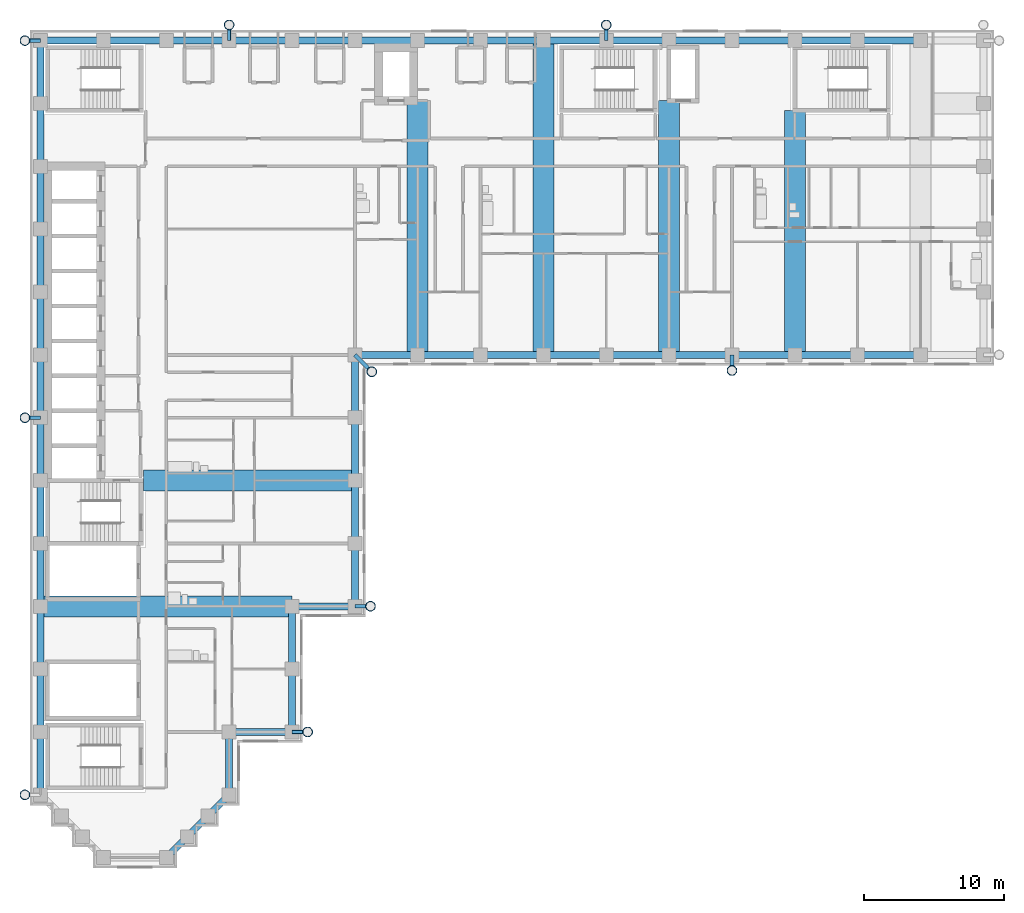
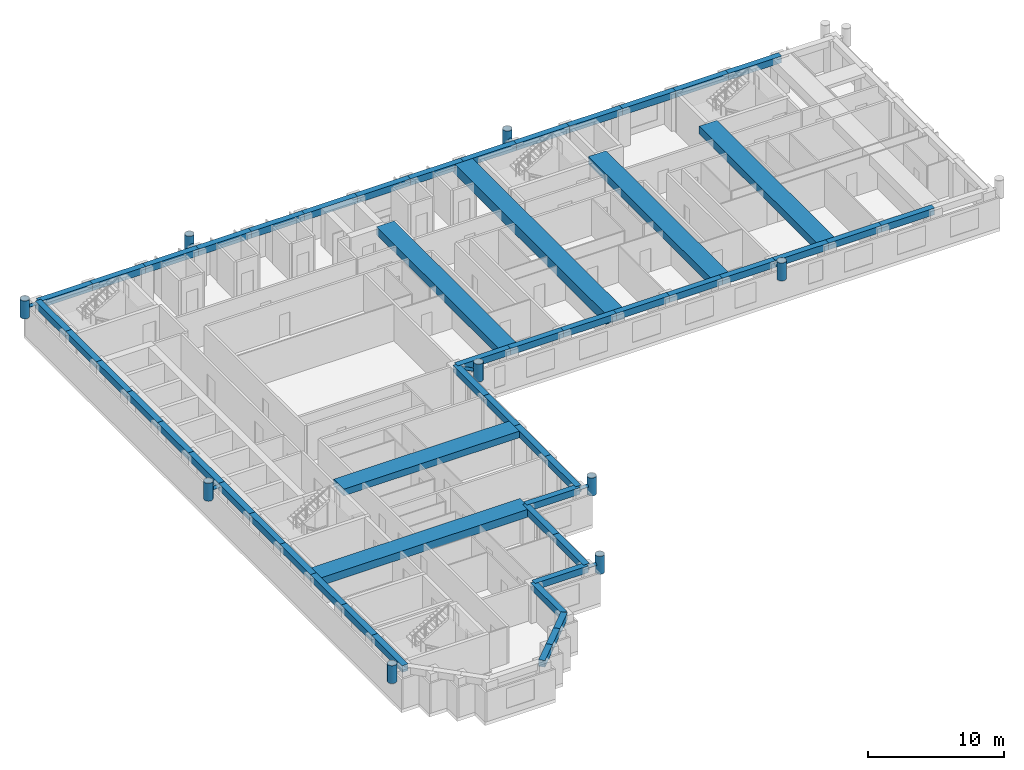
# One storey, part 2 of 15: 53 beams, 17 members.
"""IFC4 building model written with IfcOpenShell, lengths in metres."""

from ifc_helpers import new_model, si_unit, direction, frame, origin, origin_2d, place, context, subcontext, project, spatial, rectangle, hollow_circle, extrude, material, material_profile, profile_set, type_object, element, save


model = new_model("IFC4")

# Units and contexts
model_context = context("Model", 3, precision=1e-05, world=origin(), true_north=direction((0.0, 1.0)))
body_context = subcontext(model_context, "Body", "Model", "MODEL_VIEW")
ifc_project = project(units=[si_unit("LENGTHUNIT", "METRE"), si_unit("AREAUNIT", "SQUARE_METRE"), si_unit("VOLUMEUNIT", "CUBIC_METRE"), si_unit("PLANEANGLEUNIT", "RADIAN"), si_unit("MASSUNIT", "GRAM", prefix="KILO")], contexts=[model_context])

# Site, building, storey
site_placement = place(None, origin())
site = spatial("IfcSite", under=ifc_project, at=site_placement, CompositionType="ELEMENT")
building_placement = place(site_placement, origin())
building = spatial("IfcBuilding", under=site, at=building_placement, Name="Firuza Court", CompositionType="ELEMENT")
storey_placement = place(building_placement, frame((0.0, 0.0, 137.60009765625)))
storey = spatial("IfcBuildingStorey", under=building, at=storey_placement, Name="L34", CompositionType="ELEMENT", Elevation=137.60009765625)

# Beams
ifc_material_1 = material(Name="Concrete C40/50", Category="concrete")
ifc_material_profile_1 = material_profile(ifc_material_1, rectangle(XDim=1.5, YDim=0.60009765625, at=origin_2d()), Name="RC 1500x600")
ifc_profile_set_1 = profile_set([ifc_material_profile_1], Name="Concrete C40/50")
beam_type_1 = type_object("IfcBeamType", Name="Band beam RC 1500x600 C40/50", PredefinedType="BEAM", material=ifc_profile_set_1)
beam_1_placement = place(storey_placement, frame((22.5, 27.0, 3.0), z_axis=(-1.0, 0.0, 0.0), x_axis=(0.0, -1.0, 0.0)))
element("IfcBeam", 1, at=beam_1_placement, inside=storey, type_object=beam_type_1, Name="Band beam FB3 level L35", PredefinedType="BEAM", context=body_context, shape_type="SweptSolid", body=[
    extrude(rectangle(XDim=1.5, YDim=0.60009765625, at=origin_2d()), origin(), (0.0, 0.0, 1.0), 15.14990234375),
])
ifc_material_2 = material(Name="Concrete C40/50", Category="concrete")
ifc_material_profile_2 = material_profile(ifc_material_2, rectangle(XDim=1.5, YDim=0.699951171875, at=origin_2d()), Name="RC 1500x700")
ifc_profile_set_2 = profile_set([ifc_material_profile_2], Name="Concrete C40/50")
beam_type_2 = type_object("IfcBeamType", Name="Band beam RC 1500x700 C40/50", PredefinedType="BEAM", material=ifc_profile_set_2)
beam_2_placement = place(storey_placement, frame((0.0, 18.0, 2.949951171875), z_axis=(1.0, 0.0, 0.0), x_axis=(0.0, 1.0, 0.0)))
element("IfcBeam", 2, at=beam_2_placement, inside=storey, type_object=beam_type_2, Name="Band beam FB1 level L35", PredefinedType="BEAM", context=body_context, shape_type="SweptSolid", body=[
    extrude(rectangle(XDim=1.5, YDim=0.699951171875, at=origin_2d()), origin(), (0.0, 0.0, 1.0), 18.0),
])
for number, where, z_axis, x_axis, name in (
    (3, (27.0, 36.0, 2.949951171875), (0.0, 1.0, 0.0), (-1.0, 0.0, 0.0), "Band beam FB1 level L35"),
    (4, (45.0, 36.0, 2.949951171875), (0.0, 1.0, 0.0), (-1.0, 0.0, 0.0), "Band beam FB1 level L35"),
):
    element("IfcBeam", number, at=place(storey_placement, frame(where, z_axis=z_axis, x_axis=x_axis)), inside=storey, type_object=beam_type_2, Name=name, PredefinedType="BEAM", context=body_context, shape_type="SweptSolid", body=[
        extrude(rectangle(XDim=1.5, YDim=0.699951171875, at=origin_2d()), origin(), (0.0, 0.0, 1.0), 18.199951171875),
    ])
beam_3_placement = place(storey_placement, frame((54.0, 36.0, 2.949951171875), z_axis=(0.0, 1.0, 0.0), x_axis=(-1.0, 0.0, 0.0)))
element("IfcBeam", 5, at=beam_3_placement, inside=storey, type_object=beam_type_2, Name="Band beam FB1 level L35", PredefinedType="BEAM", context=body_context, shape_type="SweptSolid", body=[
    extrude(rectangle(XDim=1.5, YDim=0.699951171875, at=origin_2d()), origin(), (0.0, 0.0, 1.0), 17.5),
])
ifc_material_3 = material(Name="Concrete C40/50", Category="concrete")
ifc_material_profile_3 = material_profile(ifc_material_3, rectangle(XDim=1.5, YDim=0.89990234375, at=origin_2d()), Name="RC 1500x900")
ifc_profile_set_3 = profile_set([ifc_material_profile_3], Name="Concrete C40/50")
beam_type_3 = type_object("IfcBeamType", Name="Band beam RC 1500x900 C40/50", PredefinedType="BEAM", material=ifc_profile_set_3)
beam_4_placement = place(storey_placement, frame((36.0, 36.0, 2.849853515625), z_axis=(0.0, 1.0, 0.0), x_axis=(-1.0, 0.0, 0.0)))
element("IfcBeam", 6, at=beam_4_placement, inside=storey, type_object=beam_type_3, Name="Band beam FB2 level L35", PredefinedType="BEAM", context=body_context, shape_type="SweptSolid", body=[
    extrude(rectangle(XDim=1.5, YDim=0.89990234375, at=origin_2d()), origin(), (0.0, 0.0, 1.0), 22.5),
])

# Members
ifc_material_4 = material(Name="Steel S355", Category="steel")
ifc_material_profile_4 = material_profile(ifc_material_4, hollow_circle(Radius=0.35546875, WallThickness=0.030029296875, at=origin_2d()), Name="CHS 711x30")
ifc_profile_set_4 = profile_set([ifc_material_profile_4], Name="Steel S355")
member_type_1 = type_object("IfcMemberType", Name="Diagrid node CHS 711x30 S355", PredefinedType="USERDEFINED", material=ifc_profile_set_4)
for number, where, z_axis, x_axis, name in (
    (7, (-1.1201171875, 4.5, 2.25), (0.0, 0.0, 1.0), (1.0, 0.0, 0.0), "Diagrid node level L34"),
    (8, (-1.1201171875, 31.5, 2.25), (0.0, 0.0, 1.0), (1.0, 0.0, 0.0), "Diagrid node level L34"),
    (9, (-1.1201171875, 58.5, 2.25), (0.0, 0.0, 1.0), (1.0, 0.0, 0.0), "Diagrid node level L34"),
    (10, (13.5, 59.6201171875, 2.25), (0.0, 0.0, 1.0), (1.0, 0.0, 0.0), "Diagrid node level L34"),
    (11, (19.1201171875, 9.0, 2.25), (0.0, 0.0, 1.0), (1.0, 0.0, 0.0), "Diagrid node level L34"),
    (12, (23.6201171875, 18.0, 2.25), (0.0, 0.0, 1.0), (1.0, 0.0, 0.0), "Diagrid node level L34"),
    (13, (23.7099609375, 34.7900390625, 2.25), (0.0, 0.0, 1.0), (1.0, 0.0, 0.0), "Diagrid node level L34"),
    (14, (40.5, 59.6201171875, 2.25), (0.0, 0.0, 1.0), (1.0, 0.0, 0.0), "Diagrid node level L34"),
    (15, (49.5, 34.8798828125, 2.25), (0.0, 0.0, 1.0), (1.0, 0.0, 0.0), "Diagrid node level L34"),
):
    element("IfcMember", number, at=place(storey_placement, frame(where, z_axis=z_axis, x_axis=x_axis)), inside=storey, type_object=member_type_1, Name=name, ObjectType="DIAGRID NODE", PredefinedType="USERDEFINED", context=body_context, shape_type="SweptSolid", body=[
        extrude(hollow_circle(Radius=0.35546875, WallThickness=0.030029296875, at=origin_2d()), origin(), (0.0, 0.0, 1.0), 1.599853515625),
    ])
ifc_material_5 = material(Name="Steel S355", Category="steel")
ifc_material_profile_5 = material_profile(ifc_material_5, hollow_circle(Radius=0.136474609375, WallThickness=0.012451171875, at=origin_2d()), Name="CHS 273x12.5")
ifc_profile_set_5 = profile_set([ifc_material_profile_5], Name="Steel S355")
member_type_2 = type_object("IfcMemberType", Name="Diagrid tie CHS 273x12.5 S355", PredefinedType="STRUT", material=ifc_profile_set_5)
for number, where, z_axis, x_axis, name in (
    (16, (0.0, 31.5, 3.0498046875), (-1.0, 0.0, 0.0), (0.0, -1.0, 0.0), "Diagrid tie level L35"),
    (17, (0.0, 58.5, 3.0498046875), (-1.0, 0.0, 0.0), (0.0, -1.0, 0.0), "Diagrid tie level L35"),
    (18, (13.5, 58.5, 3.0498046875), (0.0, 1.0, 0.0), (-1.0, 0.0, 0.0), "Diagrid tie level L35"),
    (19, (18.0, 9.0, 3.0498046875), (1.0, 0.0, 0.0), (0.0, 1.0, 0.0), "Diagrid tie level L35"),
    (20, (22.5, 18.0, 3.0498046875), (1.0, 0.0, 0.0), (0.0, 1.0, 0.0), "Diagrid tie level L35"),
):
    element("IfcMember", number, at=place(storey_placement, frame(where, z_axis=z_axis, x_axis=x_axis)), inside=storey, type_object=member_type_2, Name=name, PredefinedType="STRUT", context=body_context, shape_type="SweptSolid", body=[
        extrude(hollow_circle(Radius=0.136474609375, WallThickness=0.012451171875, at=origin_2d()), origin(), (0.0, 0.0, 1.0), 1.1201171875),
    ])
member_placement = place(storey_placement, frame((22.5, 36.0, 3.0498046875), z_axis=(0.707106781187, -0.707106781187, 0.0), x_axis=(0.707106781187, 0.707106781187, 0.0)))
element("IfcMember", 21, at=member_placement, inside=storey, type_object=member_type_2, Name="Diagrid tie level L35", PredefinedType="STRUT", context=body_context, shape_type="SweptSolid", body=[
    extrude(hollow_circle(Radius=0.136474609375, WallThickness=0.012451171875, at=origin_2d()), origin(), (0.0, 0.0, 1.0), 1.711181640625),
])
for number, where, z_axis, x_axis, name in (
    (22, (40.5, 58.5, 3.0498046875), (0.0, 1.0, 0.0), (-1.0, 0.0, 0.0), "Diagrid tie level L35"),
    (23, (49.5, 36.0, 3.0498046875), (0.0, -1.0, 0.0), (1.0, 0.0, 0.0), "Diagrid tie level L35"),
):
    element("IfcMember", number, at=place(storey_placement, frame(where, z_axis=z_axis, x_axis=x_axis)), inside=storey, type_object=member_type_2, Name=name, PredefinedType="STRUT", context=body_context, shape_type="SweptSolid", body=[
        extrude(hollow_circle(Radius=0.136474609375, WallThickness=0.012451171875, at=origin_2d()), origin(), (0.0, 0.0, 1.0), 1.1201171875),
    ])

# Beams
ifc_material_6 = material(Name="Concrete C40/50", Category="concrete")
ifc_material_profile_6 = material_profile(ifc_material_6, rectangle(XDim=0.5, YDim=0.60009765625, at=origin_2d()), Name="RC 500x600")
ifc_profile_set_6 = profile_set([ifc_material_profile_6], Name="Concrete C40/50")
beam_type_4 = type_object("IfcBeamType", Name="Spandrel beam RC 500x600 C40/50", PredefinedType="BEAM", material=ifc_profile_set_6)
for number, where, z_axis, x_axis, name in (
    (24, (0.0, 9.0, 3.0), (0.0, -1.0, 0.0), (1.0, 0.0, 0.0), "Spandrel beam SP13 level L35"),
    (25, (0.0, 13.5, 3.0), (0.0, -1.0, 0.0), (1.0, 0.0, 0.0), "Spandrel beam SP13 level L35"),
    (26, (0.0, 18.0, 3.0), (0.0, -1.0, 0.0), (1.0, 0.0, 0.0), "Spandrel beam SP13 level L35"),
    (27, (0.0, 22.5, 3.0), (0.0, -1.0, 0.0), (1.0, 0.0, 0.0), "Spandrel beam SP13 level L35"),
    (28, (0.0, 27.0, 3.0), (0.0, -1.0, 0.0), (1.0, 0.0, 0.0), "Spandrel beam SP13 level L35"),
    (29, (0.0, 31.5, 3.0), (0.0, -1.0, 0.0), (1.0, 0.0, 0.0), "Spandrel beam SP13 level L35"),
    (30, (0.0, 36.0, 3.0), (0.0, -1.0, 0.0), (1.0, 0.0, 0.0), "Spandrel beam SP13 level L35"),
    (31, (0.0, 40.5, 3.0), (0.0, -1.0, 0.0), (1.0, 0.0, 0.0), "Spandrel beam SP13 level L35"),
    (32, (0.0, 45.0, 3.0), (0.0, -1.0, 0.0), (1.0, 0.0, 0.0), "Spandrel beam SP13 level L35"),
    (33, (0.0, 49.5, 3.0), (0.0, -1.0, 0.0), (1.0, 0.0, 0.0), "Spandrel beam SP13 level L35"),
    (34, (0.0, 54.0, 3.0), (0.0, -1.0, 0.0), (1.0, 0.0, 0.0), "Spandrel beam SP13 level L35"),
    (35, (0.0, 58.5, 3.0), (0.0, -1.0, 0.0), (1.0, 0.0, 0.0), "Spandrel beam SP13 level L35"),
    (36, (4.5, 58.5, 3.0), (-1.0, 0.0, 0.0), (0.0, -1.0, 0.0), "Spandrel beam SP13 level L35"),
):
    element("IfcBeam", number, at=place(storey_placement, frame(where, z_axis=z_axis, x_axis=x_axis)), inside=storey, type_object=beam_type_4, Name=name, PredefinedType="BEAM", context=body_context, shape_type="SweptSolid", body=[
        extrude(rectangle(XDim=0.5, YDim=0.60009765625, at=origin_2d()), origin(), (0.0, 0.0, 1.0), 4.5),
    ])
beam_5_placement = place(storey_placement, frame((9.0, 0.0, 3.0), z_axis=(0.707106781187, 0.707106781187, 0.0), x_axis=(-0.707106781187, 0.707106781187, 0.0)))
element("IfcBeam", 37, at=beam_5_placement, inside=storey, type_object=beam_type_4, Name="Spandrel beam SP13 level L35", PredefinedType="BEAM", context=body_context, shape_type="SweptSolid", body=[
    extrude(rectangle(XDim=0.5, YDim=0.60009765625, at=origin_2d()), origin(), (0.0, 0.0, 1.0), 2.121337890625),
])
beam_6_placement = place(storey_placement, frame((9.0, 58.5, 3.0), z_axis=(-1.0, 0.0, 0.0), x_axis=(0.0, -1.0, 0.0)))
element("IfcBeam", 38, at=beam_6_placement, inside=storey, type_object=beam_type_4, Name="Spandrel beam SP13 level L35", PredefinedType="BEAM", context=body_context, shape_type="SweptSolid", body=[
    extrude(rectangle(XDim=0.5, YDim=0.60009765625, at=origin_2d()), origin(), (0.0, 0.0, 1.0), 4.5),
])
for number, where, z_axis, x_axis, name in (
    (39, (10.5, 1.5, 3.0), (0.707106781187, 0.707106781187, 0.0), (-0.707106781187, 0.707106781187, 0.0), "Spandrel beam SP13 level L35"),
    (40, (12.0, 3.0, 3.0), (0.707106781187, 0.707106781187, 0.0), (-0.707106781187, 0.707106781187, 0.0), "Spandrel beam SP13 level L35"),
):
    element("IfcBeam", number, at=place(storey_placement, frame(where, z_axis=z_axis, x_axis=x_axis)), inside=storey, type_object=beam_type_4, Name=name, PredefinedType="BEAM", context=body_context, shape_type="SweptSolid", body=[
        extrude(rectangle(XDim=0.5, YDim=0.60009765625, at=origin_2d()), origin(), (0.0, 0.0, 1.0), 2.121337890625),
    ])
for number, where, z_axis, x_axis, name in (
    (41, (13.5, 4.5, 3.0), (0.0, 1.0, 0.0), (-1.0, 0.0, 0.0), "Spandrel beam SP13 level L35"),
    (42, (13.5, 9.0, 3.0), (1.0, 0.0, 0.0), (0.0, 1.0, 0.0), "Spandrel beam SP13 level L35"),
    (43, (13.5, 58.5, 3.0), (-1.0, 0.0, 0.0), (0.0, -1.0, 0.0), "Spandrel beam SP13 level L35"),
    (44, (18.0, 9.0, 3.0), (0.0, 1.0, 0.0), (-1.0, 0.0, 0.0), "Spandrel beam SP13 level L35"),
    (45, (18.0, 13.5, 3.0), (0.0, 1.0, 0.0), (-1.0, 0.0, 0.0), "Spandrel beam SP13 level L35"),
    (46, (18.0, 18.0, 3.0), (1.0, 0.0, 0.0), (0.0, 1.0, 0.0), "Spandrel beam SP13 level L35"),
    (47, (18.0, 58.5, 3.0), (-1.0, 0.0, 0.0), (0.0, -1.0, 0.0), "Spandrel beam SP13 level L35"),
    (48, (22.5, 18.0, 3.0), (0.0, 1.0, 0.0), (-1.0, 0.0, 0.0), "Spandrel beam SP13 level L35"),
    (49, (22.5, 22.5, 3.0), (0.0, 1.0, 0.0), (-1.0, 0.0, 0.0), "Spandrel beam SP13 level L35"),
    (50, (22.5, 27.0, 3.0), (0.0, 1.0, 0.0), (-1.0, 0.0, 0.0), "Spandrel beam SP13 level L35"),
    (51, (22.5, 31.5, 3.0), (0.0, 1.0, 0.0), (-1.0, 0.0, 0.0), "Spandrel beam SP13 level L35"),
    (52, (22.5, 36.0, 3.0), (1.0, 0.0, 0.0), (0.0, 1.0, 0.0), "Spandrel beam SP13 level L35"),
    (53, (22.5, 58.5, 3.0), (-1.0, 0.0, 0.0), (0.0, -1.0, 0.0), "Spandrel beam SP13 level L35"),
    (54, (27.0, 36.0, 3.0), (1.0, 0.0, 0.0), (0.0, 1.0, 0.0), "Spandrel beam SP13 level L35"),
    (55, (27.0, 58.5, 3.0), (-1.0, 0.0, 0.0), (0.0, -1.0, 0.0), "Spandrel beam SP13 level L35"),
    (56, (31.5, 36.0, 3.0), (1.0, 0.0, 0.0), (0.0, 1.0, 0.0), "Spandrel beam SP13 level L35"),
    (57, (31.5, 58.5, 3.0), (-1.0, 0.0, 0.0), (0.0, -1.0, 0.0), "Spandrel beam SP13 level L35"),
    (58, (36.0, 36.0, 3.0), (1.0, 0.0, 0.0), (0.0, 1.0, 0.0), "Spandrel beam SP13 level L35"),
    (59, (36.0, 58.5, 3.0), (-1.0, 0.0, 0.0), (0.0, -1.0, 0.0), "Spandrel beam SP13 level L35"),
    (60, (40.5, 36.0, 3.0), (1.0, 0.0, 0.0), (0.0, 1.0, 0.0), "Spandrel beam SP13 level L35"),
    (61, (40.5, 58.5, 3.0), (-1.0, 0.0, 0.0), (0.0, -1.0, 0.0), "Spandrel beam SP13 level L35"),
    (62, (45.0, 36.0, 3.0), (1.0, 0.0, 0.0), (0.0, 1.0, 0.0), "Spandrel beam SP13 level L35"),
    (63, (45.0, 58.5, 3.0), (-1.0, 0.0, 0.0), (0.0, -1.0, 0.0), "Spandrel beam SP13 level L35"),
    (64, (49.5, 36.0, 3.0), (1.0, 0.0, 0.0), (0.0, 1.0, 0.0), "Spandrel beam SP13 level L35"),
    (65, (49.5, 58.5, 3.0), (-1.0, 0.0, 0.0), (0.0, -1.0, 0.0), "Spandrel beam SP13 level L35"),
    (66, (54.0, 36.0, 3.0), (1.0, 0.0, 0.0), (0.0, 1.0, 0.0), "Spandrel beam SP13 level L35"),
    (67, (54.0, 58.5, 3.0), (-1.0, 0.0, 0.0), (0.0, -1.0, 0.0), "Spandrel beam SP13 level L35"),
    (68, (58.5, 36.0, 3.0), (1.0, 0.0, 0.0), (0.0, 1.0, 0.0), "Spandrel beam SP13 level L35"),
    (69, (58.5, 58.5, 3.0), (-1.0, 0.0, 0.0), (0.0, -1.0, 0.0), "Spandrel beam SP13 level L35"),
    (70, (63.0, 58.5, 3.0), (-1.0, 0.0, 0.0), (0.0, -1.0, 0.0), "Spandrel beam SP13 level L35"),
):
    element("IfcBeam", number, at=place(storey_placement, frame(where, z_axis=z_axis, x_axis=x_axis)), inside=storey, type_object=beam_type_4, Name=name, PredefinedType="BEAM", context=body_context, shape_type="SweptSolid", body=[
        extrude(rectangle(XDim=0.5, YDim=0.60009765625, at=origin_2d()), origin(), (0.0, 0.0, 1.0), 4.5),
    ])

save(model, "model.ifc")
